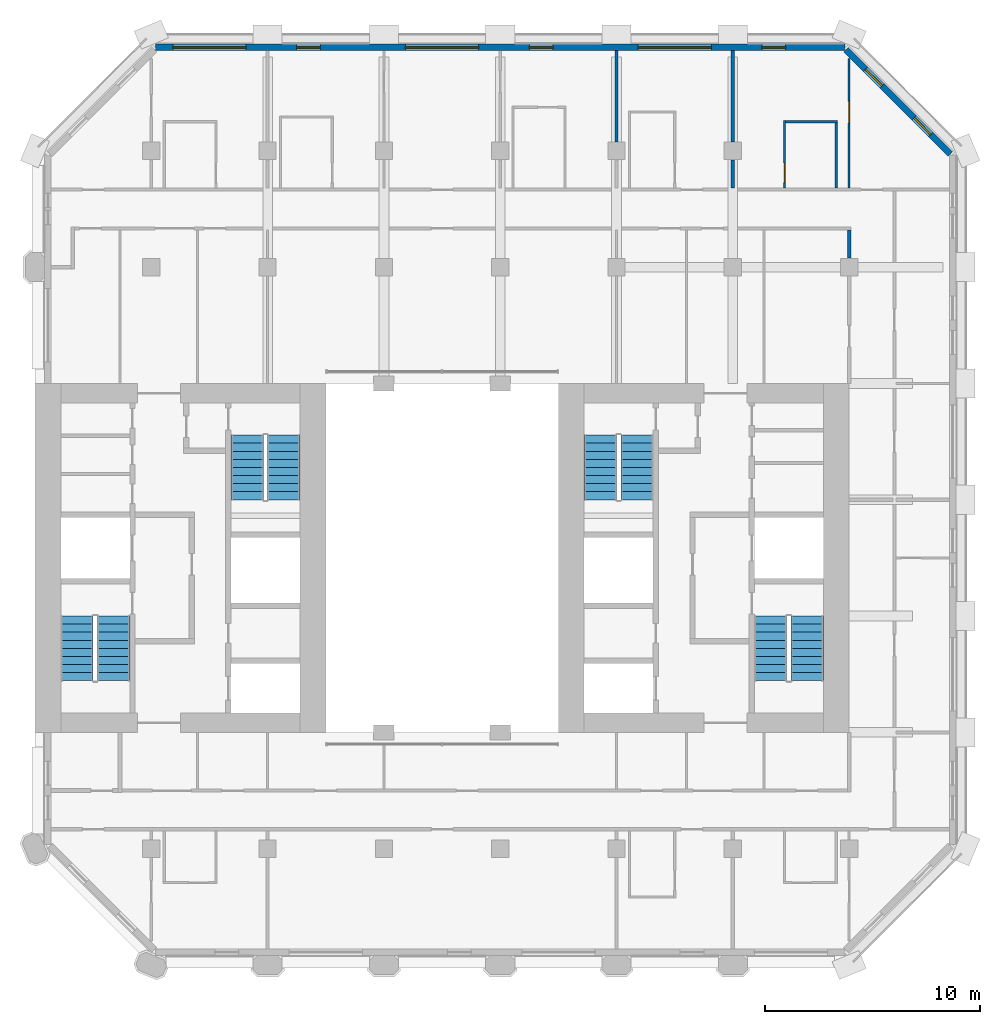
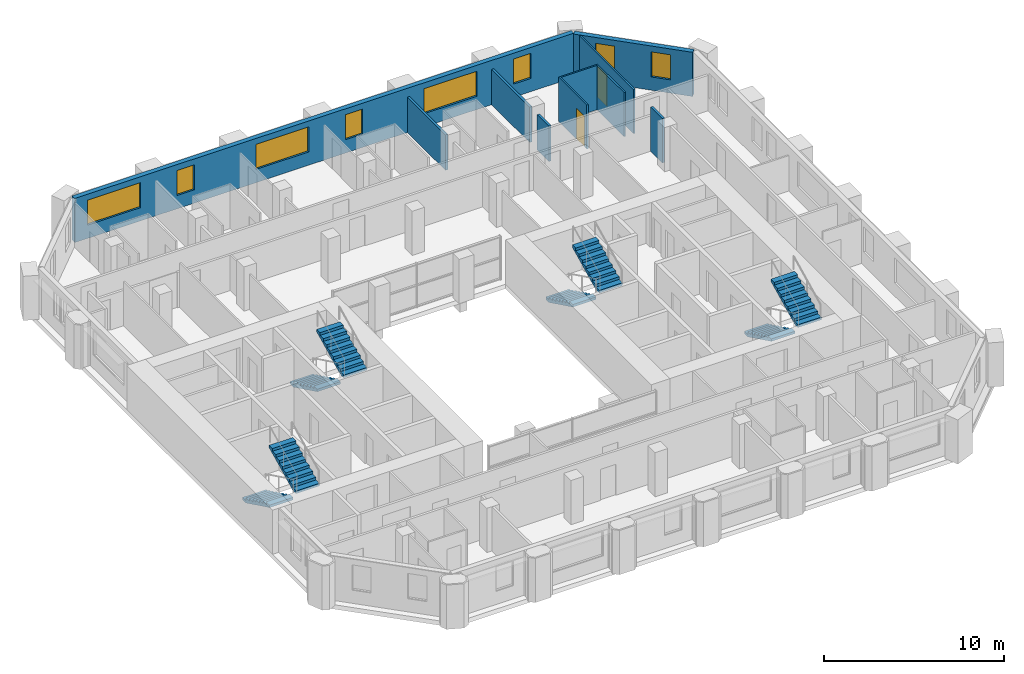
# One storey, part 9 of 12: 10 walls, 8 stair flights, 8 windows, 2 doors, 10 openings, 4 elements without a shape of their own.
"""IFC4 building model written with IfcOpenShell, lengths in metres."""

from ifc_helpers import new_model, si_unit, direction, frame, frame_2d, origin, place, context, subcontext, project, spatial, polyline, rectangle, outline, extrude, material, layer, layer_set, type_object, element, fill, aggregate, save


model = new_model("IFC4")

# Units and contexts
model_context = context("Model", 3, precision=1e-05, world=origin(), true_north=direction((0.0, 1.0)))
body_context = subcontext(model_context, "Body", "Model", "MODEL_VIEW")
ifc_project = project(units=[si_unit("LENGTHUNIT", "METRE"), si_unit("AREAUNIT", "SQUARE_METRE"), si_unit("VOLUMEUNIT", "CUBIC_METRE"), si_unit("PLANEANGLEUNIT", "RADIAN"), si_unit("MASSUNIT", "GRAM", prefix="KILO")], contexts=[model_context])

# Site, building, storey
site_placement = place(None, origin())
site = spatial("IfcSite", under=ifc_project, at=site_placement, CompositionType="ELEMENT")
building_placement = place(site_placement, origin())
building = spatial("IfcBuilding", under=site, at=building_placement, Name="Tabaq Tower and Sports Hall", CompositionType="ELEMENT")
storey_placement = place(building_placement, frame((0.0, 0.0, 190.60009765625)))
storey = spatial("IfcBuildingStorey", under=building, at=storey_placement, Name="L46", CompositionType="ELEMENT", Elevation=190.60009765625)

# Wall, opening, door
ifc_material_1 = material(Name="Gypsum board on steel studs", Category="steel")
ifc_layer_1 = layer(ifc_material_1, 0.10009765625)
ifc_layer_set_1 = layer_set([ifc_layer_1], Name="Partition 100 Gypsum board")
wall_type_1 = type_object("IfcWallType", Name="Partition 100 Gypsum board", PredefinedType="PARTITIONING", material=ifc_layer_set_1)
wall_1_placement = place(storey_placement, frame((40.199951171875, 41.47509765625, 0.0), z_axis=(0.0, 0.0, 1.0), x_axis=(0.0, 1.0, 0.0)))
wall_1 = element("IfcWall", 1, at=wall_1_placement, inside=storey, type_object=wall_type_1, Name="Partition wall L46", PredefinedType="PARTITIONING", context=body_context, shape_type="SweptSolid", body=[
    extrude(rectangle(XDim=3.125, YDim=0.10009765625, at=frame_2d((1.5625, 0.0))), origin(), (0.0, 0.0, 1.0), 3.0),
])
opening_1_placement = place(wall_1_placement, frame((0.25, 0.0, 0.0)))
opening_1 = element("IfcOpeningElement", 2, at=opening_1_placement, cuts=wall_1, Name="Opening L46-006", PredefinedType="OPENING", context=body_context, shape_type="SweptSolid", body=[
    extrude(rectangle(XDim=0.89990234375, YDim=2.10009765625, at=frame_2d((0.449951171875, 1.050048828125))), frame((0.0, 0.050048828125, 0.0), z_axis=(0.0, -1.0, 0.0), x_axis=(1.0, 0.0, 0.0)), (0.0, 0.0, 1.0), 0.10009765625),
])
ifc_material_2 = material(Name="Timber leaf in steel frame", Category="steel")
door_type_1 = type_object("IfcDoorType", Name="Internal door 900 right hand", OperationType="SINGLE_SWING_RIGHT", PredefinedType="DOOR", material=ifc_material_2)
door_1_placement = place(opening_1_placement, origin())
door_1 = element("IfcDoor", 3, at=door_1_placement, inside=storey, type_object=door_type_1, Name="Internal door L46-006", OperationType="SINGLE_SWING_RIGHT", OverallHeight=2.10009765625, OverallWidth=0.89990234375, PredefinedType="DOOR", context=body_context, shape_type="SweptSolid", body=[
    extrude(rectangle(XDim=0.89990234375, YDim=2.10009765625, at=frame_2d((0.449951171875, 1.050048828125))), frame((0.0, 0.02490234375, 0.0), z_axis=(0.0, -1.0, 0.0), x_axis=(1.0, 0.0, 0.0)), (0.0, 0.0, 1.0), 0.050048828125),
])
fill(opening_1, door_1)

# Walls
wall_2_placement = place(storey_placement, frame((40.25, 44.550048828125, 0.0), z_axis=(0.0, 0.0, 1.0), x_axis=(1.0, 0.0, 0.0)))
element("IfcWall", 4, at=wall_2_placement, inside=storey, type_object=wall_type_1, Name="Partition wall L46", PredefinedType="PARTITIONING", context=body_context, shape_type="SweptSolid", body=[
    extrude(rectangle(XDim=2.39990234375, YDim=0.10009765625, at=frame_2d((1.199951171875, 0.0))), origin(), (0.0, 0.0, 1.0), 3.0),
])
wall_3_placement = place(storey_placement, frame((42.60009765625, 44.5, 0.0), z_axis=(0.0, 0.0, 1.0), x_axis=(0.0, -1.0, 0.0)))
element("IfcWall", 5, at=wall_3_placement, inside=storey, type_object=wall_type_1, Name="Partition wall L46", PredefinedType="PARTITIONING", context=body_context, shape_type="SweptSolid", body=[
    extrude(rectangle(XDim=3.02490234375, YDim=0.10009765625, at=frame_2d((1.512451171875, 0.0))), origin(), (0.0, 0.0, 1.0), 3.0),
])

# Wall, opening, door
wall_4_placement = place(storey_placement, frame((43.199951171875, 41.47509765625, 0.0), z_axis=(0.0, 0.0, 1.0), x_axis=(0.0, 1.0, 0.0)))
wall_4 = element("IfcWall", 6, at=wall_4_placement, inside=storey, type_object=wall_type_1, Name="Partition wall L46", PredefinedType="PARTITIONING", context=body_context, shape_type="SweptSolid", body=[
    extrude(rectangle(XDim=6.0126953125, YDim=0.10009765625, at=frame_2d((3.00634765625, 0.0))), origin(), (0.0, 0.0, 1.0), 3.0),
])
opening_2_placement = place(wall_4_placement, frame((3.02490234375, 0.0, 0.0)))
opening_2 = element("IfcOpeningElement", 7, at=opening_2_placement, cuts=wall_4, Name="Opening L46-030", PredefinedType="OPENING", context=body_context, shape_type="SweptSolid", body=[
    extrude(rectangle(XDim=1.0, YDim=2.10009765625, at=frame_2d((0.5, 1.050048828125))), frame((0.0, 0.050048828125, 0.0), z_axis=(0.0, -1.0, 0.0), x_axis=(1.0, 0.0, 0.0)), (0.0, 0.0, 1.0), 0.10009765625),
])
ifc_material_3 = material(Name="Timber leaf in steel frame", Category="steel")
door_type_2 = type_object("IfcDoorType", Name="Internal door 1000 right hand", OperationType="SINGLE_SWING_RIGHT", PredefinedType="DOOR", material=ifc_material_3)
door_2_placement = place(opening_2_placement, origin())
door_2 = element("IfcDoor", 8, at=door_2_placement, inside=storey, type_object=door_type_2, Name="Internal door L46-030", OperationType="SINGLE_SWING_RIGHT", OverallHeight=2.10009765625, OverallWidth=1.0, PredefinedType="DOOR", context=body_context, shape_type="SweptSolid", body=[
    extrude(rectangle(XDim=1.0, YDim=2.10009765625, at=frame_2d((0.5, 1.050048828125))), frame((0.0, 0.02490234375, 0.0), z_axis=(0.0, -1.0, 0.0), x_axis=(1.0, 0.0, 0.0)), (0.0, 0.0, 1.0), 0.050048828125),
])
fill(opening_2, door_2)

# Walls
ifc_material_4 = material(Name="Blockwork", Category="masonry")
ifc_layer_2 = layer(ifc_material_4, 0.14990234375)
ifc_layer_set_2 = layer_set([ifc_layer_2], Name="Separating wall 150 Blockwork")
wall_type_2 = type_object("IfcWallType", Name="Separating wall 150 Blockwork", PredefinedType="PARTITIONING", material=ifc_layer_set_2)
wall_5_placement = place(storey_placement, frame((32.39990234375, 43.6201171875, 0.0), z_axis=(0.0, 0.0, 1.0), x_axis=(0.0, 1.0, 0.0)))
element("IfcWall", 9, at=wall_5_placement, inside=storey, type_object=wall_type_2, Name="Separating wall L46", PredefinedType="PARTITIONING", context=body_context, shape_type="SweptSolid", body=[
    extrude(rectangle(XDim=4.22900390625, YDim=0.14990234375, at=frame_2d((2.114501953125, 0.0))), origin(), (0.0, 0.0, 1.0), 2.39990234375),
])
wall_6_placement = place(storey_placement, frame((37.800048828125, 41.47509765625, 0.0), z_axis=(0.0, 0.0, 1.0), x_axis=(0.0, 1.0, 0.0)))
element("IfcWall", 10, at=wall_6_placement, inside=storey, type_object=wall_type_2, Name="Separating wall L46", PredefinedType="PARTITIONING", context=body_context, shape_type="SweptSolid", body=[
    extrude(rectangle(XDim=1.304931640625, YDim=0.14990234375, at=frame_2d((0.65234375, 0.0))), origin(), (0.0, 0.0, 1.0), 2.39990234375),
])
wall_7_placement = place(storey_placement, frame((37.800048828125, 43.6201171875, 0.0), z_axis=(0.0, 0.0, 1.0), x_axis=(0.0, 1.0, 0.0)))
element("IfcWall", 11, at=wall_7_placement, inside=storey, type_object=wall_type_2, Name="Separating wall L46", PredefinedType="PARTITIONING", context=body_context, shape_type="SweptSolid", body=[
    extrude(rectangle(XDim=4.22900390625, YDim=0.14990234375, at=frame_2d((2.114501953125, 0.0))), origin(), (0.0, 0.0, 1.0), 2.39990234375),
])
wall_8_placement = place(storey_placement, frame((43.199951171875, 39.52490234375, 0.0), z_axis=(0.0, 0.0, 1.0), x_axis=(0.0, -1.0, 0.0)))
element("IfcWall", 12, at=wall_8_placement, inside=storey, type_object=wall_type_2, Name="Separating wall L46", PredefinedType="PARTITIONING", context=body_context, shape_type="SweptSolid", body=[
    extrude(rectangle(XDim=1.304931640625, YDim=0.14990234375, at=frame_2d((0.65234375, 0.0))), origin(), (0.0, 0.0, 1.0), 3.0),
])

# Wall, openings, windows
ifc_material_5 = material(Name="White precast concrete C60/75", Category="concrete")
ifc_layer_3 = layer(ifc_material_5, 0.300048828125)
ifc_layer_set_3 = layer_set([ifc_layer_3], Name="White precast concrete C60/75 external wall 300")
wall_type_3 = type_object("IfcWallType", Name="White precast concrete C60/75 external wall 300", PredefinedType="SOLIDWALL", material=ifc_layer_set_3)
wall_9_placement = place(storey_placement, frame((47.901123046875, 43.050537109375, 0.0), z_axis=(0.0, 0.0, 1.0), x_axis=(-0.707106781187, 0.707106781187, 0.0)))
wall_9 = element("IfcWall", 13, at=wall_9_placement, inside=storey, type_object=wall_type_3, Name="External Wall L46 NE", PredefinedType="SOLIDWALL", context=body_context, shape_type="SweptSolid", body=[
    extrude(rectangle(XDim=6.85986328125, YDim=0.300048828125, at=frame_2d((3.429931640625, 0.0))), origin(), (0.0, 0.0, 1.0), 3.0),
])
opening_3_placement = place(wall_9_placement, frame((1.27978515625, 0.0, 0.89990234375)))
opening_3 = element("IfcOpeningElement", 14, at=opening_3_placement, cuts=wall_9, Name="Opening W1B", PredefinedType="OPENING", context=body_context, shape_type="SweptSolid", body=[
    extrude(rectangle(XDim=1.10009765625, YDim=1.699951171875, at=frame_2d((0.550048828125, 0.85009765625))), frame((0.0, 0.16015625, 0.0), z_axis=(0.0, -1.0, 0.0), x_axis=(1.0, 0.0, 0.0)), (0.0, 0.0, 1.0), 0.320068359375),
])
opening_4_placement = place(wall_9_placement, frame((4.479736328125, 0.0, 0.89990234375)))
opening_4 = element("IfcOpeningElement", 15, at=opening_4_placement, cuts=wall_9, Name="Opening W1B", PredefinedType="OPENING", context=body_context, shape_type="SweptSolid", body=[
    extrude(rectangle(XDim=1.10009765625, YDim=1.699951171875, at=frame_2d((0.550048828125, 0.85009765625))), frame((0.0, 0.16015625, 0.0), z_axis=(0.0, -1.0, 0.0), x_axis=(1.0, 0.0, 0.0)), (0.0, 0.0, 1.0), 0.320068359375),
])
ifc_material_6 = material(Name="Aluminium framed clear glazing", Category="aluminium")
window_type_1 = type_object("IfcWindowType", Name="Window W1B", PartitioningType="SINGLE_PANEL", PredefinedType="WINDOW", material=ifc_material_6)
window_1_placement = place(opening_3_placement, origin())
window_1 = element("IfcWindow", 16, at=window_1_placement, inside=storey, type_object=window_type_1, Name="Window W1B L46", OverallHeight=1.699951171875, OverallWidth=1.10009765625, PartitioningType="SINGLE_PANEL", PredefinedType="WINDOW", context=body_context, shape_type="SweptSolid", body=[
    extrude(rectangle(XDim=1.10009765625, YDim=1.699951171875, at=frame_2d((0.550048828125, 0.85009765625))), frame((0.0, 0.030029296875, 0.0), z_axis=(0.0, -1.0, 0.0), x_axis=(1.0, 0.0, 0.0)), (0.0, 0.0, 1.0), 0.06005859375),
])
fill(opening_3, window_1)
window_2_placement = place(opening_4_placement, origin())
window_2 = element("IfcWindow", 17, at=window_2_placement, inside=storey, type_object=window_type_1, Name="Window W1B L46", OverallHeight=1.699951171875, OverallWidth=1.10009765625, PartitioningType="SINGLE_PANEL", PredefinedType="WINDOW", context=body_context, shape_type="SweptSolid", body=[
    extrude(rectangle(XDim=1.10009765625, YDim=1.699951171875, at=frame_2d((0.550048828125, 0.85009765625))), frame((0.0, 0.030029296875, 0.0), z_axis=(0.0, -1.0, 0.0), x_axis=(1.0, 0.0, 0.0)), (0.0, 0.0, 1.0), 0.06005859375),
])
fill(opening_4, window_2)

wall_10_placement = place(storey_placement, frame((43.013671875, 48.0, 0.0), z_axis=(0.0, 0.0, 1.0), x_axis=(-1.0, 0.0, 0.0)))
wall_10 = element("IfcWall", 18, at=wall_10_placement, inside=storey, type_object=wall_type_3, Name="External Wall L46 N", PredefinedType="SOLIDWALL", context=body_context, shape_type="SweptSolid", body=[
    extrude(rectangle(XDim=32.02734375, YDim=0.300048828125, at=frame_2d((16.013671875, 0.0))), origin(), (0.0, 0.0, 1.0), 3.0),
])
opening_5_placement = place(wall_10_placement, frame((2.763671875, 0.0, 0.89990234375)))
opening_5 = element("IfcOpeningElement", 19, at=opening_5_placement, cuts=wall_10, Name="Opening W1B", PredefinedType="OPENING", context=body_context, shape_type="SweptSolid", body=[
    extrude(rectangle(XDim=1.10009765625, YDim=1.699951171875, at=frame_2d((0.550048828125, 0.85009765625))), frame((0.0, 0.16015625, 0.0), z_axis=(0.0, -1.0, 0.0), x_axis=(1.0, 0.0, 0.0)), (0.0, 0.0, 1.0), 0.320068359375),
])
opening_6_placement = place(wall_10_placement, frame((6.213623046875, 0.0, 0.89990234375)))
opening_6 = element("IfcOpeningElement", 20, at=opening_6_placement, cuts=wall_10, Name="Opening W1A", PredefinedType="OPENING", context=body_context, shape_type="SweptSolid", body=[
    extrude(rectangle(XDim=3.39990234375, YDim=1.699951171875, at=frame_2d((1.699951171875, 0.85009765625))), frame((0.0, 0.16015625, 0.0), z_axis=(0.0, -1.0, 0.0), x_axis=(1.0, 0.0, 0.0)), (0.0, 0.0, 1.0), 0.320068359375),
])
opening_7_placement = place(wall_10_placement, frame((13.563720703125, 0.0, 0.89990234375)))
opening_7 = element("IfcOpeningElement", 21, at=opening_7_placement, cuts=wall_10, Name="Opening W1B", PredefinedType="OPENING", context=body_context, shape_type="SweptSolid", body=[
    extrude(rectangle(XDim=1.10009765625, YDim=1.699951171875, at=frame_2d((0.550048828125, 0.85009765625))), frame((0.0, 0.16015625, 0.0), z_axis=(0.0, -1.0, 0.0), x_axis=(1.0, 0.0, 0.0)), (0.0, 0.0, 1.0), 0.320068359375),
])
opening_8_placement = place(wall_10_placement, frame((17.013671875, 0.0, 0.89990234375)))
opening_8 = element("IfcOpeningElement", 22, at=opening_8_placement, cuts=wall_10, Name="Opening W1A", PredefinedType="OPENING", context=body_context, shape_type="SweptSolid", body=[
    extrude(rectangle(XDim=3.39990234375, YDim=1.699951171875, at=frame_2d((1.699951171875, 0.85009765625))), frame((0.0, 0.16015625, 0.0), z_axis=(0.0, -1.0, 0.0), x_axis=(1.0, 0.0, 0.0)), (0.0, 0.0, 1.0), 0.320068359375),
])
opening_9_placement = place(wall_10_placement, frame((24.363525390625, 0.0, 0.89990234375)))
opening_9 = element("IfcOpeningElement", 23, at=opening_9_placement, cuts=wall_10, Name="Opening W1B", PredefinedType="OPENING", context=body_context, shape_type="SweptSolid", body=[
    extrude(rectangle(XDim=1.10009765625, YDim=1.699951171875, at=frame_2d((0.550048828125, 0.85009765625))), frame((0.0, 0.16015625, 0.0), z_axis=(0.0, -1.0, 0.0), x_axis=(1.0, 0.0, 0.0)), (0.0, 0.0, 1.0), 0.320068359375),
])
opening_10_placement = place(wall_10_placement, frame((27.813720703125, 0.0, 0.89990234375)))
opening_10 = element("IfcOpeningElement", 24, at=opening_10_placement, cuts=wall_10, Name="Opening W1A", PredefinedType="OPENING", context=body_context, shape_type="SweptSolid", body=[
    extrude(rectangle(XDim=3.39990234375, YDim=1.699951171875, at=frame_2d((1.699951171875, 0.85009765625))), frame((0.0, 0.16015625, 0.0), z_axis=(0.0, -1.0, 0.0), x_axis=(1.0, 0.0, 0.0)), (0.0, 0.0, 1.0), 0.320068359375),
])
ifc_material_7 = material(Name="Aluminium framed clear glazing", Category="aluminium")
window_type_2 = type_object("IfcWindowType", Name="Window W1A", PartitioningType="SINGLE_PANEL", PredefinedType="WINDOW", material=ifc_material_7)
window_3_placement = place(opening_6_placement, origin())
window_3 = element("IfcWindow", 25, at=window_3_placement, inside=storey, type_object=window_type_2, Name="Window W1A L46", OverallHeight=1.699951171875, OverallWidth=3.39990234375, PartitioningType="SINGLE_PANEL", PredefinedType="WINDOW", context=body_context, shape_type="SweptSolid", body=[
    extrude(rectangle(XDim=3.39990234375, YDim=1.699951171875, at=frame_2d((1.699951171875, 0.85009765625))), frame((0.0, 0.030029296875, 0.0), z_axis=(0.0, -1.0, 0.0), x_axis=(1.0, 0.0, 0.0)), (0.0, 0.0, 1.0), 0.06005859375),
])
fill(opening_6, window_3)
window_4_placement = place(opening_8_placement, origin())
window_4 = element("IfcWindow", 26, at=window_4_placement, inside=storey, type_object=window_type_2, Name="Window W1A L46", OverallHeight=1.699951171875, OverallWidth=3.39990234375, PartitioningType="SINGLE_PANEL", PredefinedType="WINDOW", context=body_context, shape_type="SweptSolid", body=[
    extrude(rectangle(XDim=3.39990234375, YDim=1.699951171875, at=frame_2d((1.699951171875, 0.85009765625))), frame((0.0, 0.030029296875, 0.0), z_axis=(0.0, -1.0, 0.0), x_axis=(1.0, 0.0, 0.0)), (0.0, 0.0, 1.0), 0.06005859375),
])
fill(opening_8, window_4)
window_5_placement = place(opening_10_placement, origin())
window_5 = element("IfcWindow", 27, at=window_5_placement, inside=storey, type_object=window_type_2, Name="Window W1A L46", OverallHeight=1.699951171875, OverallWidth=3.39990234375, PartitioningType="SINGLE_PANEL", PredefinedType="WINDOW", context=body_context, shape_type="SweptSolid", body=[
    extrude(rectangle(XDim=3.39990234375, YDim=1.699951171875, at=frame_2d((1.699951171875, 0.85009765625))), frame((0.0, 0.030029296875, 0.0), z_axis=(0.0, -1.0, 0.0), x_axis=(1.0, 0.0, 0.0)), (0.0, 0.0, 1.0), 0.06005859375),
])
fill(opening_10, window_5)
window_6_placement = place(opening_5_placement, origin())
window_6 = element("IfcWindow", 28, at=window_6_placement, inside=storey, type_object=window_type_1, Name="Window W1B L46", OverallHeight=1.699951171875, OverallWidth=1.10009765625, PartitioningType="SINGLE_PANEL", PredefinedType="WINDOW", context=body_context, shape_type="SweptSolid", body=[
    extrude(rectangle(XDim=1.10009765625, YDim=1.699951171875, at=frame_2d((0.550048828125, 0.85009765625))), frame((0.0, 0.030029296875, 0.0), z_axis=(0.0, -1.0, 0.0), x_axis=(1.0, 0.0, 0.0)), (0.0, 0.0, 1.0), 0.06005859375),
])
fill(opening_5, window_6)
window_7_placement = place(opening_7_placement, origin())
window_7 = element("IfcWindow", 29, at=window_7_placement, inside=storey, type_object=window_type_1, Name="Window W1B L46", OverallHeight=1.699951171875, OverallWidth=1.10009765625, PartitioningType="SINGLE_PANEL", PredefinedType="WINDOW", context=body_context, shape_type="SweptSolid", body=[
    extrude(rectangle(XDim=1.10009765625, YDim=1.699951171875, at=frame_2d((0.550048828125, 0.85009765625))), frame((0.0, 0.030029296875, 0.0), z_axis=(0.0, -1.0, 0.0), x_axis=(1.0, 0.0, 0.0)), (0.0, 0.0, 1.0), 0.06005859375),
])
fill(opening_7, window_7)
window_8_placement = place(opening_9_placement, origin())
window_8 = element("IfcWindow", 30, at=window_8_placement, inside=storey, type_object=window_type_1, Name="Window W1B L46", OverallHeight=1.699951171875, OverallWidth=1.10009765625, PartitioningType="SINGLE_PANEL", PredefinedType="WINDOW", context=body_context, shape_type="SweptSolid", body=[
    extrude(rectangle(XDim=1.10009765625, YDim=1.699951171875, at=frame_2d((0.550048828125, 0.85009765625))), frame((0.0, 0.030029296875, 0.0), z_axis=(0.0, -1.0, 0.0), x_axis=(1.0, 0.0, 0.0)), (0.0, 0.0, 1.0), 0.06005859375),
])
fill(opening_9, window_8)

# Stair, stair flights
ifc_material_8 = material(Name="Concrete C40/50", Category="concrete")
stair_type = type_object("IfcStairType", Name="Exit stair", PredefinedType="HALF_TURN_STAIR", material=ifc_material_8)
stair_1_placement = place(storey_placement, origin())
stair_1 = element("IfcStair", 31, at=stair_1_placement, inside=storey, type_object=stair_type, Name="L46 Exit stair ST1", PredefinedType="HALF_TURN_STAIR")
ifc_material_9 = material(Name="Concrete C40/50", Category="concrete")
stair_flight_type = type_object("IfcStairFlightType", Name="Exit stair flight", PredefinedType="STRAIGHT", material=ifc_material_9)
stair_flight_1_placement = place(storey_placement, frame((7.35009765625, 21.60009765625, 0.0), z_axis=(0.0, 0.0, 1.0), x_axis=(0.0, -1.0, 0.0)))
stair_flight_1 = element("IfcStairFlight", 32, at=stair_flight_1_placement, type_object=stair_flight_type, Name="ST1 flight 1", NumberOfRisers=9, NumberOfTreads=8, PredefinedType="STRAIGHT", RiserHeight=0.183333333, TreadLength=0.375, context=body_context, shape_type="SweptSolid", body=[
    extrude(outline(polyline([(0.0, 0.0), (0.0, 0.183349609375), (0.375, 0.183349609375), (0.375, 0.36669921875), (0.75, 0.36669921875), (0.75, 0.550048828125), (1.125, 0.550048828125), (1.125, 0.7333984375), (1.5, 0.7333984375), (1.5, 0.916748046875), (1.875, 0.916748046875), (1.875, 1.10009765625), (2.25, 1.10009765625), (2.25, 1.283447265625), (2.625, 1.283447265625), (2.625, 1.466552734375), (3.0, 1.466552734375), (3.0, 1.64990234375), (3.0, 1.2998046875), (0.34130859375, 0.0), (0.0, 0.0)])), frame((0.0, 0.75, 0.0), z_axis=(0.0, -1.0, 0.0), x_axis=(1.0, 0.0, 0.0)), (0.0, 0.0, 1.0), 1.5),
])
stair_flight_2_placement = place(storey_placement, frame((9.050048828125, 18.60009765625, 1.64990234375), z_axis=(0.0, 0.0, 1.0), x_axis=(0.0, 1.0, 0.0)))
stair_flight_2 = element("IfcStairFlight", 33, at=stair_flight_2_placement, type_object=stair_flight_type, Name="ST1 flight 2", NumberOfRisers=9, NumberOfTreads=8, PredefinedType="STRAIGHT", RiserHeight=0.183333333, TreadLength=0.375, context=body_context, shape_type="SweptSolid", body=[
    extrude(outline(polyline([(0.0, 0.0), (0.0, 0.183349609375), (0.375, 0.183349609375), (0.375, 0.36669921875), (0.75, 0.36669921875), (0.75, 0.550048828125), (1.125, 0.550048828125), (1.125, 0.7333984375), (1.5, 0.7333984375), (1.5, 0.916748046875), (1.875, 0.916748046875), (1.875, 1.10009765625), (2.25, 1.10009765625), (2.25, 1.283447265625), (2.625, 1.283447265625), (2.625, 1.466552734375), (3.0, 1.466552734375), (3.0, 1.64990234375), (3.0, 1.2998046875), (0.34130859375, 0.0), (0.0, 0.0)])), frame((0.0, 0.75, 0.0), z_axis=(0.0, -1.0, 0.0), x_axis=(1.0, 0.0, 0.0)), (0.0, 0.0, 1.0), 1.5),
])
aggregate(stair_1, [stair_flight_1, stair_flight_2])

stair_2_placement = place(storey_placement, origin())
stair_2 = element("IfcStair", 34, at=stair_2_placement, inside=storey, type_object=stair_type, Name="L46 Exit stair ST2", PredefinedType="HALF_TURN_STAIR")
stair_flight_3_placement = place(storey_placement, frame((15.25, 30.0, 0.0), z_axis=(0.0, 0.0, 1.0), x_axis=(0.0, -1.0, 0.0)))
stair_flight_3 = element("IfcStairFlight", 35, at=stair_flight_3_placement, type_object=stair_flight_type, Name="ST2 flight 1", NumberOfRisers=9, NumberOfTreads=8, PredefinedType="STRAIGHT", RiserHeight=0.183333333, TreadLength=0.375, context=body_context, shape_type="SweptSolid", body=[
    extrude(outline(polyline([(0.0, 0.0), (0.0, 0.183349609375), (0.375, 0.183349609375), (0.375, 0.36669921875), (0.75, 0.36669921875), (0.75, 0.550048828125), (1.125, 0.550048828125), (1.125, 0.7333984375), (1.5, 0.7333984375), (1.5, 0.916748046875), (1.875, 0.916748046875), (1.875, 1.10009765625), (2.25, 1.10009765625), (2.25, 1.283447265625), (2.625, 1.283447265625), (2.625, 1.466552734375), (3.0, 1.466552734375), (3.0, 1.64990234375), (3.0, 1.2998046875), (0.34130859375, 0.0), (0.0, 0.0)])), frame((0.0, 0.75, 0.0), z_axis=(0.0, -1.0, 0.0), x_axis=(1.0, 0.0, 0.0)), (0.0, 0.0, 1.0), 1.5),
])
stair_flight_4_placement = place(storey_placement, frame((16.949951171875, 27.0, 1.64990234375), z_axis=(0.0, 0.0, 1.0), x_axis=(0.0, 1.0, 0.0)))
stair_flight_4 = element("IfcStairFlight", 36, at=stair_flight_4_placement, type_object=stair_flight_type, Name="ST2 flight 2", NumberOfRisers=9, NumberOfTreads=8, PredefinedType="STRAIGHT", RiserHeight=0.183333333, TreadLength=0.375, context=body_context, shape_type="SweptSolid", body=[
    extrude(outline(polyline([(0.0, 0.0), (0.0, 0.183349609375), (0.375, 0.183349609375), (0.375, 0.36669921875), (0.75, 0.36669921875), (0.75, 0.550048828125), (1.125, 0.550048828125), (1.125, 0.7333984375), (1.5, 0.7333984375), (1.5, 0.916748046875), (1.875, 0.916748046875), (1.875, 1.10009765625), (2.25, 1.10009765625), (2.25, 1.283447265625), (2.625, 1.283447265625), (2.625, 1.466552734375), (3.0, 1.466552734375), (3.0, 1.64990234375), (3.0, 1.2998046875), (0.34130859375, 0.0), (0.0, 0.0)])), frame((0.0, 0.75, 0.0), z_axis=(0.0, -1.0, 0.0), x_axis=(1.0, 0.0, 0.0)), (0.0, 0.0, 1.0), 1.5),
])
aggregate(stair_2, [stair_flight_3, stair_flight_4])

stair_3_placement = place(storey_placement, origin())
stair_3 = element("IfcStair", 37, at=stair_3_placement, inside=storey, type_object=stair_type, Name="L46 Exit stair ST3", PredefinedType="HALF_TURN_STAIR")
stair_flight_5_placement = place(storey_placement, frame((39.550048828125, 21.60009765625, 0.0), z_axis=(0.0, 0.0, 1.0), x_axis=(0.0, -1.0, 0.0)))
stair_flight_5 = element("IfcStairFlight", 38, at=stair_flight_5_placement, type_object=stair_flight_type, Name="ST3 flight 1", NumberOfRisers=9, NumberOfTreads=8, PredefinedType="STRAIGHT", RiserHeight=0.183333333, TreadLength=0.375, context=body_context, shape_type="SweptSolid", body=[
    extrude(outline(polyline([(0.0, 0.0), (0.0, 0.183349609375), (0.375, 0.183349609375), (0.375, 0.36669921875), (0.75, 0.36669921875), (0.75, 0.550048828125), (1.125, 0.550048828125), (1.125, 0.7333984375), (1.5, 0.7333984375), (1.5, 0.916748046875), (1.875, 0.916748046875), (1.875, 1.10009765625), (2.25, 1.10009765625), (2.25, 1.283447265625), (2.625, 1.283447265625), (2.625, 1.466552734375), (3.0, 1.466552734375), (3.0, 1.64990234375), (3.0, 1.2998046875), (0.34130859375, 0.0), (0.0, 0.0)])), frame((0.0, 0.75, 0.0), z_axis=(0.0, -1.0, 0.0), x_axis=(1.0, 0.0, 0.0)), (0.0, 0.0, 1.0), 1.5),
])
stair_flight_6_placement = place(storey_placement, frame((41.25, 18.60009765625, 1.64990234375), z_axis=(0.0, 0.0, 1.0), x_axis=(0.0, 1.0, 0.0)))
stair_flight_6 = element("IfcStairFlight", 39, at=stair_flight_6_placement, type_object=stair_flight_type, Name="ST3 flight 2", NumberOfRisers=9, NumberOfTreads=8, PredefinedType="STRAIGHT", RiserHeight=0.183333333, TreadLength=0.375, context=body_context, shape_type="SweptSolid", body=[
    extrude(outline(polyline([(0.0, 0.0), (0.0, 0.183349609375), (0.375, 0.183349609375), (0.375, 0.36669921875), (0.75, 0.36669921875), (0.75, 0.550048828125), (1.125, 0.550048828125), (1.125, 0.7333984375), (1.5, 0.7333984375), (1.5, 0.916748046875), (1.875, 0.916748046875), (1.875, 1.10009765625), (2.25, 1.10009765625), (2.25, 1.283447265625), (2.625, 1.283447265625), (2.625, 1.466552734375), (3.0, 1.466552734375), (3.0, 1.64990234375), (3.0, 1.2998046875), (0.34130859375, 0.0), (0.0, 0.0)])), frame((0.0, 0.75, 0.0), z_axis=(0.0, -1.0, 0.0), x_axis=(1.0, 0.0, 0.0)), (0.0, 0.0, 1.0), 1.5),
])
aggregate(stair_3, [stair_flight_5, stair_flight_6])

stair_4_placement = place(storey_placement, origin())
stair_4 = element("IfcStair", 40, at=stair_4_placement, inside=storey, type_object=stair_type, Name="L46 Exit stair ST4", PredefinedType="HALF_TURN_STAIR")
stair_flight_7_placement = place(storey_placement, frame((31.64990234375, 30.0, 0.0), z_axis=(0.0, 0.0, 1.0), x_axis=(0.0, -1.0, 0.0)))
stair_flight_7 = element("IfcStairFlight", 41, at=stair_flight_7_placement, type_object=stair_flight_type, Name="ST4 flight 1", NumberOfRisers=9, NumberOfTreads=8, PredefinedType="STRAIGHT", RiserHeight=0.183333333, TreadLength=0.375, context=body_context, shape_type="SweptSolid", body=[
    extrude(outline(polyline([(0.0, 0.0), (0.0, 0.183349609375), (0.375, 0.183349609375), (0.375, 0.36669921875), (0.75, 0.36669921875), (0.75, 0.550048828125), (1.125, 0.550048828125), (1.125, 0.7333984375), (1.5, 0.7333984375), (1.5, 0.916748046875), (1.875, 0.916748046875), (1.875, 1.10009765625), (2.25, 1.10009765625), (2.25, 1.283447265625), (2.625, 1.283447265625), (2.625, 1.466552734375), (3.0, 1.466552734375), (3.0, 1.64990234375), (3.0, 1.2998046875), (0.34130859375, 0.0), (0.0, 0.0)])), frame((0.0, 0.75, 0.0), z_axis=(0.0, -1.0, 0.0), x_axis=(1.0, 0.0, 0.0)), (0.0, 0.0, 1.0), 1.5),
])
stair_flight_8_placement = place(storey_placement, frame((33.35009765625, 27.0, 1.64990234375), z_axis=(0.0, 0.0, 1.0), x_axis=(0.0, 1.0, 0.0)))
stair_flight_8 = element("IfcStairFlight", 42, at=stair_flight_8_placement, type_object=stair_flight_type, Name="ST4 flight 2", NumberOfRisers=9, NumberOfTreads=8, PredefinedType="STRAIGHT", RiserHeight=0.183333333, TreadLength=0.375, context=body_context, shape_type="SweptSolid", body=[
    extrude(outline(polyline([(0.0, 0.0), (0.0, 0.183349609375), (0.375, 0.183349609375), (0.375, 0.36669921875), (0.75, 0.36669921875), (0.75, 0.550048828125), (1.125, 0.550048828125), (1.125, 0.7333984375), (1.5, 0.7333984375), (1.5, 0.916748046875), (1.875, 0.916748046875), (1.875, 1.10009765625), (2.25, 1.10009765625), (2.25, 1.283447265625), (2.625, 1.283447265625), (2.625, 1.466552734375), (3.0, 1.466552734375), (3.0, 1.64990234375), (3.0, 1.2998046875), (0.34130859375, 0.0), (0.0, 0.0)])), frame((0.0, 0.75, 0.0), z_axis=(0.0, -1.0, 0.0), x_axis=(1.0, 0.0, 0.0)), (0.0, 0.0, 1.0), 1.5),
])
aggregate(stair_4, [stair_flight_7, stair_flight_8])

save(model, "model.ifc")
